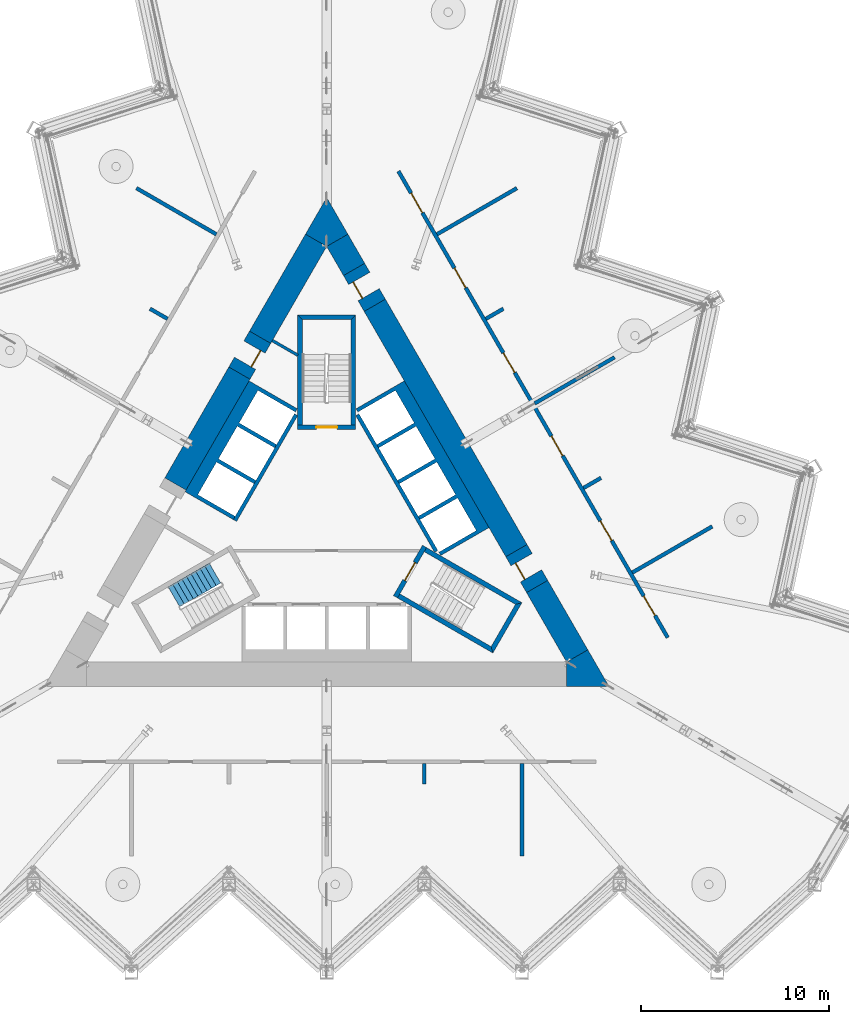
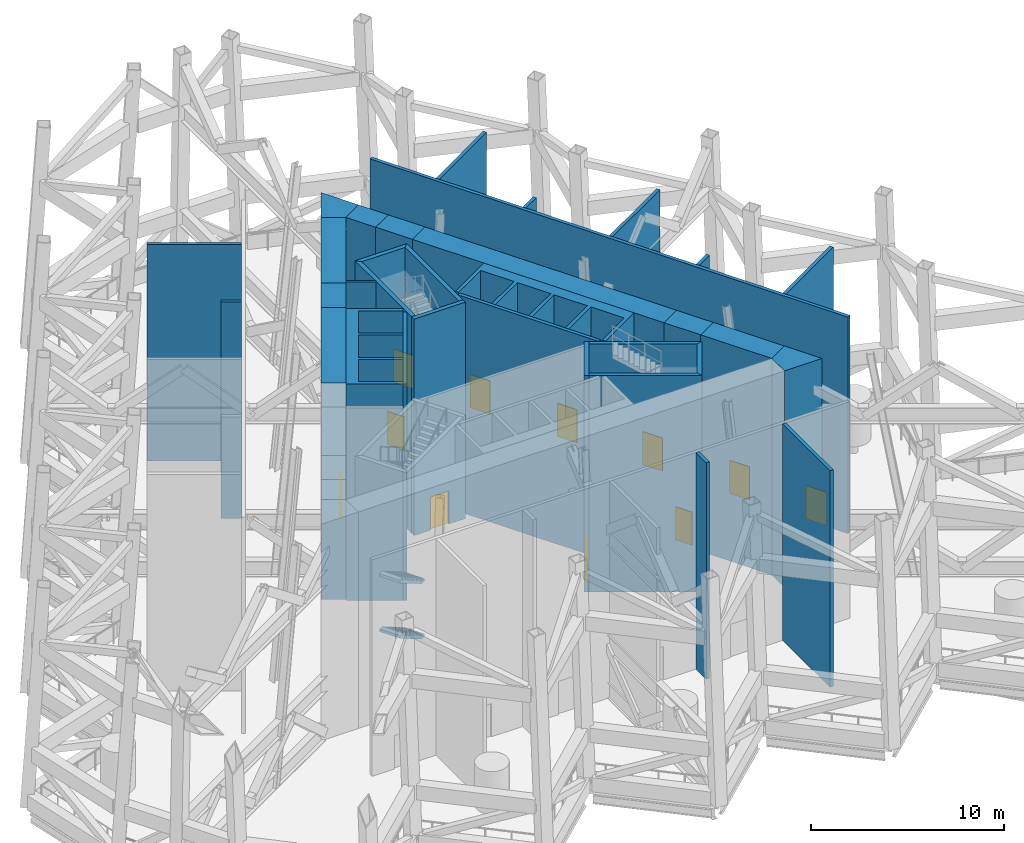
# One storey, part 9 of 19: 33 walls, 11 doors, 2 stair flights, 11 openings, 1 element without a shape of its own.
"""IFC4 building model written with IfcOpenShell, lengths in metres."""

import ifcopenshell
import ifcopenshell.guid

model = None  # the IFC model being written
_history = None  # IfcOwnerHistory: only IFC2X3 demands one
_inside = {}  # id of a spatial element -> (the spatial element, [elements in it])
_under = {}  # id of a project, library or spatial element -> (it, [spatial elements below it])
_declared = {}  # id of a project -> (the project, [libraries it declares])
_typed = {}  # id of a type object -> (the type object, [elements of that type])
_made_of = {}  # id of a material, layer set ... -> (it, [elements and type objects made of it])


def new_model(schema):
    """Start an empty IFC model of exactly this schema.

    Asked for "IFC4X3", IfcOpenShell would pick the latest addendum, in which some entities
    have other attributes; the version numbers below select the first issue.
    IFC2X3 requires an IfcOwnerHistory on every rooted entity: one is made here for all.
    """
    global model, _history
    if schema == "IFC4X3":
        model = ifcopenshell.file(schema_version=(4, 3, 0, 0))
    else:
        model = ifcopenshell.file(schema=schema)
    _inside.clear()
    _under.clear()
    _declared.clear()
    _typed.clear()
    _made_of.clear()
    _history = None
    if model.schema == "IFC2X3":
        org = make("IfcOrganization", Name="unknown")
        user = make(
            "IfcPersonAndOrganization",
            ThePerson=make("IfcPerson", FamilyName="unknown"),
            TheOrganization=org,
        )
        app = make(
            "IfcApplication",
            ApplicationDeveloper=org,
            Version="unknown",
            ApplicationFullName="unknown",
            ApplicationIdentifier="unknown",
        )
        _history = make(
            "IfcOwnerHistory",
            OwningUser=user,
            OwningApplication=app,
            ChangeAction="ADDED",
            CreationDate=0,
        )
    return model


def make(cls, **values):
    """One entity of the class cls with the attributes given. An attribute that is None is left unset."""
    return model.create_entity(
        cls, **{name: value for name, value in values.items() if value is not None}
    )


def rooted(cls, **values):
    """An entity with a GlobalId (a new one), such as an element, a storey or a relation."""
    return make(cls, GlobalId=ifcopenshell.guid.new(), OwnerHistory=_history, **values)


def si_unit(unit_type, name, prefix=None):
    """IfcSIUnit, for example si_unit("LENGTHUNIT", "METRE", prefix="MILLI")."""
    return make("IfcSIUnit", UnitType=unit_type, Prefix=prefix, Name=name)


def assignment(units):
    """IfcUnitAssignment: the units of a project."""
    return None if units is None else make("IfcUnitAssignment", Units=units)


def point(xyz):
    """IfcCartesianPoint."""
    return None if xyz is None else make("IfcCartesianPoint", Coordinates=xyz)


def direction(xyz):
    """IfcDirection."""
    return None if xyz is None else make("IfcDirection", DirectionRatios=xyz)


def frame(location, z_axis=None, x_axis=None):
    """IfcAxis2Placement3D, a coordinate frame: its origin and axes. An axis left out is left unset."""
    return make(
        "IfcAxis2Placement3D",
        Location=point(location),
        Axis=direction(z_axis),
        RefDirection=direction(x_axis),
    )


def frame_2d(location, x_axis=None):
    """IfcAxis2Placement2D, a coordinate frame in the plane: its origin and x axis."""
    return make(
        "IfcAxis2Placement2D", Location=point(location), RefDirection=direction(x_axis)
    )


def origin():
    """The frame at (0, 0, 0) with its axes left unset."""
    return frame((0.0, 0.0, 0.0))


def place(relative_to, where):
    """IfcLocalPlacement: puts the frame where relative to a parent placement (None: the world)."""
    return make(
        "IfcLocalPlacement", PlacementRelTo=relative_to, RelativePlacement=where
    )


def context(
    kind, dimensions, precision=None, world=None, true_north=None, identifier=None
):
    """IfcGeometricRepresentationContext, for example the 3D "Model" context."""
    return make(
        "IfcGeometricRepresentationContext",
        ContextIdentifier=identifier,
        ContextType=kind,
        CoordinateSpaceDimension=dimensions,
        Precision=precision,
        WorldCoordinateSystem=world,
        TrueNorth=true_north,
    )


def subcontext(parent, identifier, kind, view, scale=None):
    """IfcGeometricRepresentationSubContext, for example "Body" below "Model"."""
    return make(
        "IfcGeometricRepresentationSubContext",
        ContextIdentifier=identifier,
        ContextType=kind,
        ParentContext=parent,
        TargetScale=scale,
        TargetView=view,
    )


def project(units=None, contexts=None):
    """IfcProject with its units and contexts."""
    return rooted(
        "IfcProject",
        Name="project",
        RepresentationContexts=contexts,
        UnitsInContext=assignment(units),
    )


def spatial(cls, under=None, at=None, **own):
    """A site, building, storey or space (cls), placed at a placement, below another one or the project."""
    s = rooted(cls, ObjectPlacement=at, **own)
    if under is not None:
        _under.setdefault(under.id(), (under, []))[1].append(s)
    return s


def polyline(points):
    """IfcPolyline through the points."""
    return make("IfcPolyline", Points=[point(p) for p in points])


def profile(cls, at=None, kind="AREA", **sizes):
    """A parametric profile (cls). Its sizes go by their IFC names, for example OverallWidth=200.0."""
    return make(cls, ProfileType=kind, Position=at, **sizes)


def rectangle(**sizes):
    """IfcRectangleProfileDef."""
    return profile("IfcRectangleProfileDef", **sizes)


def outline(outer, holes=None, kind="AREA"):
    """IfcArbitraryClosedProfileDef: a profile drawn as a closed curve; with holes, ...WithVoids."""
    if holes is None:
        return make("IfcArbitraryClosedProfileDef", ProfileType=kind, OuterCurve=outer)
    return make(
        "IfcArbitraryProfileDefWithVoids",
        ProfileType=kind,
        OuterCurve=outer,
        InnerCurves=holes,
    )


def extrude(swept, where, along, depth):
    """IfcExtrudedAreaSolid: the profile swept, set in the frame where, extruded along a direction by depth."""
    return make(
        "IfcExtrudedAreaSolid",
        SweptArea=swept,
        Position=where,
        ExtrudedDirection=direction(along),
        Depth=depth,
    )


def shape(context_of_items, identifier, shape_type, items):
    """IfcShapeRepresentation: the items that make up one representation, for example the "Body"."""
    return make(
        "IfcShapeRepresentation",
        ContextOfItems=context_of_items,
        RepresentationIdentifier=identifier,
        RepresentationType=shape_type,
        Items=items,
    )


def material(Name=None, Category=None):
    """IfcMaterial."""
    return make("IfcMaterial", Name=Name, Category=Category)


def layer(
    of_material, thickness, ventilated=None, Name=None, Category=None, Priority=None
):
    """IfcMaterialLayer: one layer of a wall or slab, of a material (None: an air gap)."""
    return make(
        "IfcMaterialLayer",
        Material=of_material,
        LayerThickness=thickness,
        IsVentilated=ventilated,
        Name=Name,
        Category=Category,
        Priority=Priority,
    )


def layer_set(layers, Name=None):
    """IfcMaterialLayerSet."""
    return make("IfcMaterialLayerSet", MaterialLayers=layers, LayerSetName=Name)


def made_of(thing, what):
    """Note that an element or type object is made of a material, layer set ...; save() writes the relation."""
    if what is not None:
        _made_of.setdefault(what.id(), (what, []))[1].append(thing)
    return thing


def type_object(cls, material=None, **own):
    """A type object (cls), such as IfcWallType, which elements share."""
    return made_of(rooted(cls, **own), material)


def element(
    cls,
    number,
    at=None,
    inside=None,
    cuts=None,
    type_object=None,
    material=None,
    context=None,
    identifier="Body",
    shape_type=None,
    held_by="IfcProductDefinitionShape",
    body=None,
    shapes=None,
    **own,
):
    """One element of the class cls, such as IfcWall. Its Tag is "e" and its number.

    at: its placement. inside: the storey or other place that contains it. cuts: it is an
    opening in that element (IfcRelVoidsElement). A single representation is given by context,
    identifier, shape_type and body (its items); several are given by shapes. held_by: the class
    of the entity that holds the representations. save() writes the other relations.
    """
    e = rooted(cls, Tag="e%d" % number, ObjectPlacement=at, **own)
    if body is not None:
        shapes = [shape(context, identifier, shape_type, body)]
    if shapes is not None:
        e.Representation = make(held_by, Representations=shapes)
    if inside is not None:
        _inside.setdefault(inside.id(), (inside, []))[1].append(e)
    if cuts is not None:
        rooted(
            "IfcRelVoidsElement", RelatingBuildingElement=cuts, RelatedOpeningElement=e
        )
    if type_object is not None:
        _typed.setdefault(type_object.id(), (type_object, []))[1].append(e)
    return made_of(e, material)


def fill(opening, filler):
    """IfcRelFillsElement: the door or window that sits in an opening."""
    return rooted(
        "IfcRelFillsElement",
        RelatingOpeningElement=opening,
        RelatedBuildingElement=filler,
    )


def aggregate(whole, parts):
    """IfcRelAggregates: a whole, such as a stair, and the parts it consists of."""
    return rooted("IfcRelAggregates", RelatingObject=whole, RelatedObjects=parts)


def save(model, path):
    """Write the relations noted so far, then the file.

    IfcRelAggregates (storeys below a building ...), IfcRelContainedInSpatialStructure (elements
    in a storey), IfcRelDefinesByType, IfcRelAssociatesMaterial and IfcRelDeclares: one each for
    every whole, place, type object, material and project.
    """
    for whole, parts in _under.values():
        aggregate(whole, parts)
    for where, things in _inside.values():
        rooted(
            "IfcRelContainedInSpatialStructure",
            RelatedElements=things,
            RelatingStructure=where,
        )
    for kind, things in _typed.values():
        rooted("IfcRelDefinesByType", RelatedObjects=things, RelatingType=kind)
    for what, things in _made_of.values():
        rooted("IfcRelAssociatesMaterial", RelatedObjects=things, RelatingMaterial=what)
    for by, libraries in _declared.values():
        rooted("IfcRelDeclares", RelatingContext=by, RelatedDefinitions=libraries)
    model.write(path)


model = new_model("IFC4")

# Units and contexts
model_context = context("Model", 3, precision=1e-05, world=origin(), true_north=direction((0.0, 1.0)))
body_context = subcontext(model_context, "Body", "Model", "MODEL_VIEW")
ifc_project = project(units=[si_unit("LENGTHUNIT", "METRE"), si_unit("AREAUNIT", "SQUARE_METRE"), si_unit("VOLUMEUNIT", "CUBIC_METRE"), si_unit("PLANEANGLEUNIT", "RADIAN"), si_unit("MASSUNIT", "GRAM", prefix="KILO")], contexts=[model_context])

# Site, building, storey
site_placement = place(None, origin())
site = spatial("IfcSite", under=ifc_project, at=site_placement, CompositionType="ELEMENT")
building_placement = place(site_placement, origin())
building = spatial("IfcBuilding", under=site, at=building_placement, Name="Cormorant Prow Tower", CompositionType="ELEMENT")
storey_placement = place(building_placement, frame((0.0, 0.0, 287.800048828125)))
storey = spatial("IfcBuildingStorey", under=building, at=storey_placement, Name="L64", CompositionType="ELEMENT", Elevation=287.800048828125)

# Walls
ifc_material_1 = material(Name="Gypsum board partition")
ifc_layer_1 = layer(ifc_material_1, 0.14990234375)
ifc_layer_set_1 = layer_set([ifc_layer_1], Name="Gypsum board partition")
wall_type_1 = type_object("IfcWallType", Name="Core partition 150", PredefinedType="PARTITIONING", material=ifc_layer_set_1)
wall_1_placement = place(storey_placement, frame((-2.88623046875, 9.721435546875, 0.0), z_axis=(0.0, 0.0, 1.0), x_axis=(0.865990094875, -0.500061151839, 0.0)))
element("IfcWall", 1, at=wall_1_placement, inside=storey, type_object=wall_type_1, Name="Service room partition", PredefinedType="PARTITIONING", context=body_context, shape_type="SweptSolid", body=[
    extrude(rectangle(XDim=1.559814453125, YDim=0.14990234375, at=frame_2d((0.77978515625, 0.0))), origin(), (0.0, 0.0, 1.0), 13.699951171875),
])
ifc_material_2 = material(Name="Concrete 8000 psi", Category="concrete")
ifc_layer_2 = layer(ifc_material_2, 1.300048828125)
ifc_layer_set_2 = layer_set([ifc_layer_2], Name="Concrete 8000 psi")
wall_type_2 = type_object("IfcWallType", Name="Core shear wall 1300", PredefinedType="SHEAR", material=ifc_layer_set_2)
wall_2_placement = place(storey_placement, frame((10.081298828125, -1.440673828125, 0.0), z_axis=(0.0, 0.0, 1.0), x_axis=(-0.500012180433, 0.866018371294, 0.0)))
element("IfcWall", 2, at=wall_2_placement, inside=storey, type_object=wall_type_2, Name="Core wall", PredefinedType="SHEAR", context=body_context, shape_type="SweptSolid", body=[
    extrude(rectangle(XDim=15.05029296875, YDim=1.300048828125, at=frame_2d((7.525146484375, 0.0))), origin(), (0.0, 0.0, 1.0), 13.699951171875),
])
wall_3_placement = place(storey_placement, frame((13.311279296875, -7.035400390625, 0.0), z_axis=(0.0, 0.0, 1.0), x_axis=(-0.500003555838, 0.866023350811, 0.0)))
element("IfcWall", 3, at=wall_3_placement, inside=storey, type_object=wall_type_2, Name="Core wall", PredefinedType="SHEAR", context=body_context, shape_type="SweptSolid", body=[
    extrude(rectangle(XDim=4.26025390625, YDim=1.300048828125, at=frame_2d((2.130126953125, 0.0))), origin(), (0.0, 0.0, 1.0), 13.699951171875),
])
wall_4_placement = place(storey_placement, frame((1.4560546875, 13.49853515625, 0.0), z_axis=(0.0, 0.0, 1.0), x_axis=(-0.499990639951, 0.866030807744, 0.0)))
element("IfcWall", 4, at=wall_4_placement, inside=storey, type_object=wall_type_2, Name="Core wall", PredefinedType="SHEAR", context=body_context, shape_type="SweptSolid", body=[
    extrude(rectangle(XDim=1.7861328125, YDim=1.300048828125, at=frame_2d((0.89306640625, 0.0))), origin(), (0.0, 0.0, 1.0), 13.699951171875),
])
wall_5_placement = place(storey_placement, frame((-4.63623046875, 7.989990234375, 0.0), z_axis=(0.0, 0.0, 1.0), x_axis=(-0.500022813292, -0.866012232124, 0.0)))
element("IfcWall", 5, at=wall_5_placement, inside=storey, type_object=wall_type_2, Name="Core wall", PredefinedType="SHEAR", context=body_context, shape_type="SweptSolid", body=[
    extrude(rectangle(XDim=6.801513671875, YDim=1.300048828125, at=frame_2d((3.40087890625, 0.0))), origin(), (0.0, 0.0, 1.0), 13.699951171875),
])
wall_6_placement = place(storey_placement, frame((-0.56298828125, 15.04541015625, 0.0), z_axis=(0.0, 0.0, 1.0), x_axis=(-0.500011498138, -0.866018765229, 0.0)))
element("IfcWall", 6, at=wall_6_placement, inside=storey, type_object=wall_type_2, Name="Core wall", PredefinedType="SHEAR", context=body_context, shape_type="SweptSolid", body=[
    extrude(rectangle(XDim=5.946533203125, YDim=1.300048828125, at=frame_2d((2.97314453125, 0.0))), origin(), (0.0, 0.0, 1.0), 13.699951171875),
])
wall_7_placement = place(storey_placement, origin())
element("IfcWall", 7, at=wall_7_placement, inside=storey, type_object=wall_type_2, Name="Core wall corner", PredefinedType="SHEAR", context=body_context, shape_type="SweptSolid", body=[
    extrude(outline(polyline([(12.748291015625, -8.660400390625), (12.748291015625, -7.3603515625), (13.874267578125, -6.710205078125), (15.0, -8.660400390625), (12.748291015625, -8.660400390625)])), origin(), (0.0, 0.0, 1.0), 13.699951171875),
])
wall_8_placement = place(storey_placement, origin())
element("IfcWall", 8, at=wall_8_placement, inside=storey, type_object=wall_type_2, Name="Core wall corner", PredefinedType="SHEAR", context=body_context, shape_type="SweptSolid", body=[
    extrude(outline(polyline([(-1.125732421875, 15.37060546875), (0.0, 17.320556640625), (1.125732421875, 15.37060546875), (0.0, 14.720458984375), (-1.125732421875, 15.37060546875)])), origin(), (0.0, 0.0, 1.0), 13.699951171875),
])

# Wall, opening, door
wall_9_placement = place(storey_placement, frame((11.18115234375, -3.345947265625, 0.0), z_axis=(0.0, 0.0, 1.0), x_axis=(-0.499946605688, 0.86605622881, 0.0)))
wall_9 = element("IfcWall", 9, at=wall_9_placement, inside=storey, type_object=wall_type_2, Name="Core wall door panel", PredefinedType="SHEAR", context=body_context, shape_type="SweptSolid", body=[
    extrude(rectangle(XDim=2.199951171875, YDim=1.300048828125, at=frame_2d((1.10009765625, 0.0))), origin(), (0.0, 0.0, 1.0), 13.699951171875),
])
opening_1_placement = place(wall_9_placement, frame((0.64990234375, 0.0, 0.0)))
opening_1 = element("IfcOpeningElement", 10, at=opening_1_placement, cuts=wall_9, Name="Opening L64-C09", PredefinedType="OPENING", context=body_context, shape_type="SweptSolid", body=[
    extrude(rectangle(XDim=1.0, YDim=2.10009765625, at=frame_2d((0.5, 1.050048828125))), frame((0.0, 0.659912109375, 0.0), z_axis=(0.0, -1.0, 0.0), x_axis=(1.0, 0.0, 0.0)), (0.0, 0.0, 1.0), 1.320068359375),
])
ifc_material_3 = material(Name="Painted steel", Category="steel")
door_type_1 = type_object("IfcDoorType", Name="Service door 1000x2100", OperationType="NOTDEFINED", PredefinedType="DOOR", material=ifc_material_3)
door_1_placement = place(opening_1_placement, origin())
door_1 = element("IfcDoor", 11, at=door_1_placement, inside=storey, type_object=door_type_1, Name="Core door, Electrical switch room", OperationType="SINGLE_SWING_LEFT", OverallHeight=2.10009765625, OverallWidth=1.0, PredefinedType="DOOR", context=body_context, shape_type="SweptSolid", body=[
    extrude(rectangle(XDim=1.0, YDim=2.10009765625, at=frame_2d((0.5, 1.050048828125))), frame((0.0, 0.40478515625, 0.0), z_axis=(0.0, -1.0, 0.0), x_axis=(1.0, 0.0, 0.0)), (0.0, 0.0, 1.0), 0.050048828125),
])
fill(opening_1, door_1)

wall_10_placement = place(storey_placement, frame((-3.536376953125, 9.8955078125, 0.0), z_axis=(0.0, 0.0, 1.0), x_axis=(-0.499981787252, -0.866035918664, 0.0)))
wall_10 = element("IfcWall", 12, at=wall_10_placement, inside=storey, type_object=wall_type_2, Name="Core wall door panel", PredefinedType="SHEAR", context=body_context, shape_type="SweptSolid", body=[
    extrude(rectangle(XDim=2.2001953125, YDim=1.300048828125, at=frame_2d((1.10009765625, 0.0))), origin(), (0.0, 0.0, 1.0), 13.699951171875),
])
opening_2_placement = place(wall_10_placement, frame((0.60009765625, 0.0, 0.0)))
opening_2 = element("IfcOpeningElement", 13, at=opening_2_placement, cuts=wall_10, Name="Opening L64-C10", PredefinedType="OPENING", context=body_context, shape_type="SweptSolid", body=[
    extrude(rectangle(XDim=1.0, YDim=2.10009765625, at=frame_2d((0.5, 1.050048828125))), frame((0.0, 0.659912109375, 0.0), z_axis=(0.0, -1.0, 0.0), x_axis=(1.0, 0.0, 0.0)), (0.0, 0.0, 1.0), 1.320068359375),
])
door_2_placement = place(opening_2_placement, origin())
door_2 = element("IfcDoor", 14, at=door_2_placement, inside=storey, type_object=door_type_1, Name="Core door, Plant spares store", OperationType="SINGLE_SWING_LEFT", OverallHeight=2.10009765625, OverallWidth=1.0, PredefinedType="DOOR", context=body_context, shape_type="SweptSolid", body=[
    extrude(rectangle(XDim=1.0, YDim=2.10009765625, at=frame_2d((0.5, 1.050048828125))), frame((0.0, 0.40478515625, 0.0), z_axis=(0.0, -1.0, 0.0), x_axis=(1.0, 0.0, 0.0)), (0.0, 0.0, 1.0), 0.050048828125),
])
fill(opening_2, door_2)

wall_11_placement = place(storey_placement, frame((2.555908203125, 11.59326171875, 0.0), z_axis=(0.0, 0.0, 1.0), x_axis=(-0.499946605688, 0.86605622881, 0.0)))
wall_11 = element("IfcWall", 15, at=wall_11_placement, inside=storey, type_object=wall_type_2, Name="Core wall door panel", PredefinedType="SHEAR", context=body_context, shape_type="SweptSolid", body=[
    extrude(rectangle(XDim=2.199951171875, YDim=1.300048828125, at=frame_2d((1.10009765625, 0.0))), origin(), (0.0, 0.0, 1.0), 13.699951171875),
])
opening_3_placement = place(wall_11_placement, frame((0.64990234375, 0.0, 0.0)))
opening_3 = element("IfcOpeningElement", 16, at=opening_3_placement, cuts=wall_11, Name="Opening L64-C11", PredefinedType="OPENING", context=body_context, shape_type="SweptSolid", body=[
    extrude(rectangle(XDim=1.0, YDim=2.10009765625, at=frame_2d((0.5, 1.050048828125))), frame((0.0, 0.659912109375, 0.0), z_axis=(0.0, -1.0, 0.0), x_axis=(1.0, 0.0, 0.0)), (0.0, 0.0, 1.0), 1.320068359375),
])
door_3_placement = place(opening_3_placement, origin())
door_3 = element("IfcDoor", 17, at=door_3_placement, inside=storey, type_object=door_type_1, Name="Core door, Plant waste store", OperationType="SINGLE_SWING_LEFT", OverallHeight=2.10009765625, OverallWidth=1.0, PredefinedType="DOOR", context=body_context, shape_type="SweptSolid", body=[
    extrude(rectangle(XDim=1.0, YDim=2.10009765625, at=frame_2d((0.5, 1.050048828125))), frame((0.0, 0.40478515625, 0.0), z_axis=(0.0, -1.0, 0.0), x_axis=(1.0, 0.0, 0.0)), (0.0, 0.0, 1.0), 0.050048828125),
])
fill(opening_3, door_3)

# Wall, openings, doors
ifc_material_4 = material(Name="Gypsum board corridor wall")
ifc_layer_3 = layer(ifc_material_4, 0.199951171875)
ifc_layer_set_3 = layer_set([ifc_layer_3], Name="Gypsum board corridor wall")
wall_type_3 = type_object("IfcWallType", Name="Corridor wall 200", PredefinedType="PARTITIONING", material=ifc_layer_set_3)
wall_12_placement = place(storey_placement, frame((3.810546875, 18.720458984375, 0.0), z_axis=(0.0, 0.0, 1.0), x_axis=(0.49999867524, -0.866026168633, 0.0)))
wall_12 = element("IfcWall", 18, at=wall_12_placement, inside=storey, type_object=wall_type_3, Name="Corridor wall", PredefinedType="PARTITIONING", context=body_context, shape_type="SweptSolid", body=[
    extrude(rectangle(XDim=28.6142578125, YDim=0.199951171875, at=frame_2d((14.30712890625, 0.0))), origin(), (0.0, 0.0, 1.0), 13.699951171875),
])
opening_4_placement = place(wall_12_placement, frame((26.063720703125, 0.0, 0.0)))
opening_4 = element("IfcOpeningElement", 19, at=opening_4_placement, cuts=wall_12, Name="Opening L64-F08", PredefinedType="OPENING", context=body_context, shape_type="SweptSolid", body=[
    extrude(rectangle(XDim=1.199951171875, YDim=2.10009765625, at=frame_2d((0.60009765625, 1.050048828125))), frame((0.0, 0.10986328125, 0.0), z_axis=(0.0, -1.0, 0.0), x_axis=(1.0, 0.0, 0.0)), (0.0, 0.0, 1.0), 0.219970703125),
])
opening_5_placement = place(wall_12_placement, frame((21.46142578125, 0.0, 0.0)))
opening_5 = element("IfcOpeningElement", 20, at=opening_5_placement, cuts=wall_12, Name="Opening L64-F10", PredefinedType="OPENING", context=body_context, shape_type="SweptSolid", body=[
    extrude(rectangle(XDim=1.199951171875, YDim=2.10009765625, at=frame_2d((0.60009765625, 1.050048828125))), frame((0.0, 0.10986328125, 0.0), z_axis=(0.0, -1.0, 0.0), x_axis=(1.0, 0.0, 0.0)), (0.0, 0.0, 1.0), 0.219970703125),
])
opening_6_placement = place(wall_12_placement, frame((16.258544921875, 0.0, 0.0)))
opening_6 = element("IfcOpeningElement", 21, at=opening_6_placement, cuts=wall_12, Name="Opening L64-F12", PredefinedType="OPENING", context=body_context, shape_type="SweptSolid", body=[
    extrude(rectangle(XDim=1.199951171875, YDim=2.10009765625, at=frame_2d((0.60009765625, 1.050048828125))), frame((0.0, 0.10986328125, 0.0), z_axis=(0.0, -1.0, 0.0), x_axis=(1.0, 0.0, 0.0)), (0.0, 0.0, 1.0), 0.219970703125),
])
opening_7_placement = place(wall_12_placement, frame((11.15576171875, 0.0, 0.0)))
opening_7 = element("IfcOpeningElement", 22, at=opening_7_placement, cuts=wall_12, Name="Opening L64-F14", PredefinedType="OPENING", context=body_context, shape_type="SweptSolid", body=[
    extrude(rectangle(XDim=1.199951171875, YDim=2.10009765625, at=frame_2d((0.60009765625, 1.050048828125))), frame((0.0, 0.10986328125, 0.0), z_axis=(0.0, -1.0, 0.0), x_axis=(1.0, 0.0, 0.0)), (0.0, 0.0, 1.0), 0.219970703125),
])
opening_8_placement = place(wall_12_placement, frame((5.953125, 0.0, 0.0)))
opening_8 = element("IfcOpeningElement", 23, at=opening_8_placement, cuts=wall_12, Name="Opening L64-F16", PredefinedType="OPENING", context=body_context, shape_type="SweptSolid", body=[
    extrude(rectangle(XDim=1.199951171875, YDim=2.10009765625, at=frame_2d((0.60009765625, 1.050048828125))), frame((0.0, 0.10986328125, 0.0), z_axis=(0.0, -1.0, 0.0), x_axis=(1.0, 0.0, 0.0)), (0.0, 0.0, 1.0), 0.219970703125),
])
opening_9_placement = place(wall_12_placement, frame((1.3505859375, 0.0, 0.0)))
opening_9 = element("IfcOpeningElement", 24, at=opening_9_placement, cuts=wall_12, Name="Opening L64-F18", PredefinedType="OPENING", context=body_context, shape_type="SweptSolid", body=[
    extrude(rectangle(XDim=1.199951171875, YDim=2.10009765625, at=frame_2d((0.60009765625, 1.050048828125))), frame((0.0, 0.10986328125, 0.0), z_axis=(0.0, -1.0, 0.0), x_axis=(1.0, 0.0, 0.0)), (0.0, 0.0, 1.0), 0.219970703125),
])
ifc_material_5 = material(Name="Timber door leaf", Category="wood")
door_type_2 = type_object("IfcDoorType", Name="Plant room door 1200x2100", OperationType="NOTDEFINED", PredefinedType="DOOR", material=ifc_material_5)
door_4_placement = place(opening_4_placement, origin())
door_4 = element("IfcDoor", 25, at=door_4_placement, inside=storey, type_object=door_type_2, Name="Switchgear room door", OperationType="SINGLE_SWING_RIGHT", OverallHeight=2.10009765625, OverallWidth=1.199951171875, PredefinedType="DOOR", context=body_context, shape_type="SweptSolid", body=[
    extrude(rectangle(XDim=1.199951171875, YDim=2.10009765625, at=frame_2d((0.60009765625, 1.050048828125))), frame((0.0, 0.02490234375, 0.0), z_axis=(0.0, -1.0, 0.0), x_axis=(1.0, 0.0, 0.0)), (0.0, 0.0, 1.0), 0.050048828125),
])
fill(opening_4, door_4)
door_5_placement = place(opening_5_placement, origin())
door_5 = element("IfcDoor", 26, at=door_5_placement, inside=storey, type_object=door_type_2, Name="Generator room door", OperationType="SINGLE_SWING_LEFT", OverallHeight=2.10009765625, OverallWidth=1.199951171875, PredefinedType="DOOR", context=body_context, shape_type="SweptSolid", body=[
    extrude(rectangle(XDim=1.199951171875, YDim=2.10009765625, at=frame_2d((0.60009765625, 1.050048828125))), frame((0.0, 0.02490234375, 0.0), z_axis=(0.0, -1.0, 0.0), x_axis=(1.0, 0.0, 0.0)), (0.0, 0.0, 1.0), 0.050048828125),
])
fill(opening_5, door_5)
door_6_placement = place(opening_6_placement, origin())
door_6 = element("IfcDoor", 27, at=door_6_placement, inside=storey, type_object=door_type_2, Name="Battery room door", OperationType="SINGLE_SWING_LEFT", OverallHeight=2.10009765625, OverallWidth=1.199951171875, PredefinedType="DOOR", context=body_context, shape_type="SweptSolid", body=[
    extrude(rectangle(XDim=1.199951171875, YDim=2.10009765625, at=frame_2d((0.60009765625, 1.050048828125))), frame((0.0, 0.02490234375, 0.0), z_axis=(0.0, -1.0, 0.0), x_axis=(1.0, 0.0, 0.0)), (0.0, 0.0, 1.0), 0.050048828125),
])
fill(opening_6, door_6)
door_7_placement = place(opening_7_placement, origin())
door_7 = element("IfcDoor", 28, at=door_7_placement, inside=storey, type_object=door_type_2, Name="Switchgear room door", OperationType="SINGLE_SWING_RIGHT", OverallHeight=2.10009765625, OverallWidth=1.199951171875, PredefinedType="DOOR", context=body_context, shape_type="SweptSolid", body=[
    extrude(rectangle(XDim=1.199951171875, YDim=2.10009765625, at=frame_2d((0.60009765625, 1.050048828125))), frame((0.0, 0.02490234375, 0.0), z_axis=(0.0, -1.0, 0.0), x_axis=(1.0, 0.0, 0.0)), (0.0, 0.0, 1.0), 0.050048828125),
])
fill(opening_7, door_7)
door_8_placement = place(opening_8_placement, origin())
door_8 = element("IfcDoor", 29, at=door_8_placement, inside=storey, type_object=door_type_2, Name="Generator room door", OperationType="SINGLE_SWING_RIGHT", OverallHeight=2.10009765625, OverallWidth=1.199951171875, PredefinedType="DOOR", context=body_context, shape_type="SweptSolid", body=[
    extrude(rectangle(XDim=1.199951171875, YDim=2.10009765625, at=frame_2d((0.60009765625, 1.050048828125))), frame((0.0, 0.02490234375, 0.0), z_axis=(0.0, -1.0, 0.0), x_axis=(1.0, 0.0, 0.0)), (0.0, 0.0, 1.0), 0.050048828125),
])
fill(opening_8, door_8)
door_9_placement = place(opening_9_placement, origin())
door_9 = element("IfcDoor", 30, at=door_9_placement, inside=storey, type_object=door_type_2, Name="Battery room door", OperationType="SINGLE_SWING_LEFT", OverallHeight=2.10009765625, OverallWidth=1.199951171875, PredefinedType="DOOR", context=body_context, shape_type="SweptSolid", body=[
    extrude(rectangle(XDim=1.199951171875, YDim=2.10009765625, at=frame_2d((0.60009765625, 1.050048828125))), frame((0.0, 0.02490234375, 0.0), z_axis=(0.0, -1.0, 0.0), x_axis=(1.0, 0.0, 0.0)), (0.0, 0.0, 1.0), 0.050048828125),
])
fill(opening_9, door_9)

# Walls
ifc_material_6 = material(Name="Gypsum board demising wall")
ifc_layer_4 = layer(ifc_material_6, 0.199951171875)
ifc_layer_set_4 = layer_set([ifc_layer_4], Name="Gypsum board demising wall")
wall_type_4 = type_object("IfcWallType", Name="Demising wall 200", PredefinedType="PARTITIONING", material=ifc_layer_set_4)
for number, where, z_axis, x_axis, name in (
    (31, (5.862548828125, 15.366455078125, 0.0), (0.0, 0.0, 1.0), (0.866023786258, 0.500002801628, 0.0), "Demising wall"),
    (32, (-10.10595703125, 17.81640625, 0.0), (0.0, 0.0, 1.0), (0.866023786258, -0.500002801628, 0.0), "Demising wall"),
    (33, (11.05078125, 6.380126953125, 0.0), (0.0, 0.0, 1.0), (0.866023786258, 0.500002801628, 0.0), "Demising wall"),
    (34, (16.239013671875, -2.606201171875, 0.0), (0.0, 0.0, 1.0), (0.866023786258, 0.500002801628, 0.0), "Demising wall"),
):
    element("IfcWall", number, at=place(storey_placement, frame(where, z_axis=z_axis, x_axis=x_axis)), inside=storey, type_object=wall_type_4, Name=name, PredefinedType="PARTITIONING", context=body_context, shape_type="SweptSolid", body=[
        extrude(rectangle(XDim=4.89990234375, YDim=0.199951171875, at=frame_2d((2.449951171875, 0.0))), origin(), (0.0, 0.0, 1.0), 13.699951171875),
    ])
wall_13_placement = place(storey_placement, frame((10.37646484375, -17.660400390625, 0.0), z_axis=(0.0, 0.0, 1.0), x_axis=(0.0, 1.0, 0.0)))
element("IfcWall", 35, at=wall_13_placement, inside=storey, type_object=wall_type_4, Name="Demising wall", PredefinedType="PARTITIONING", context=body_context, shape_type="SweptSolid", body=[
    extrude(rectangle(XDim=4.900146484375, YDim=0.199951171875, at=frame_2d((2.4501953125, 0.0))), origin(), (0.0, 0.0, 1.0), 13.699951171875),
])
for number, where, z_axis, x_axis, name in (
    (36, (-9.385498046875, 11.40966796875, 0.0), (0.0, 0.0, 1.0), (0.866007444426, -0.500031105231, 0.0), "Demising wall"),
    (37, (8.45654296875, 10.873291015625, 0.0), (0.0, 0.0, 1.0), (0.866007444426, 0.500031105231, 0.0), "Demising wall"),
    (38, (13.644775390625, 1.886962890625, 0.0), (0.0, 0.0, 1.0), (0.866007444426, 0.500031105231, 0.0), "Demising wall"),
    (39, (5.188232421875, -13.8330078125, 0.0), (0.0, 0.0, 1.0), (0.0, 1.0, 0.0), "Demising wall"),
):
    element("IfcWall", number, at=place(storey_placement, frame(where, z_axis=z_axis, x_axis=x_axis)), inside=storey, type_object=wall_type_4, Name=name, PredefinedType="PARTITIONING", context=body_context, shape_type="SweptSolid", body=[
        extrude(rectangle(XDim=1.07275390625, YDim=0.199951171875, at=frame_2d((0.536376953125, 0.0))), origin(), (0.0, 0.0, 1.0), 13.699951171875),
    ])
ifc_material_7 = material(Name="Concrete 5000 psi", Category="concrete")
ifc_layer_5 = layer(ifc_material_7, 0.199951171875)
ifc_layer_set_5 = layer_set([ifc_layer_5], Name="Concrete 5000 psi")
wall_type_5 = type_object("IfcWallType", Name="Lift lobby wall 200", PredefinedType="SOLIDWALL", material=ifc_layer_set_5)
wall_14_placement = place(storey_placement, frame((5.817138671875, -1.4755859375, 0.0), z_axis=(0.0, 0.0, 1.0), x_axis=(-0.500002616675, 0.866023893041, 0.0)))
element("IfcWall", 40, at=wall_14_placement, inside=storey, type_object=wall_type_5, Name="Lift lobby wall, ENE block", PredefinedType="SOLIDWALL", context=body_context, shape_type="SweptSolid", body=[
    extrude(rectangle(XDim=8.373046875, YDim=0.199951171875, at=frame_2d((4.1865234375, 0.0))), origin(), (0.0, 0.0, 1.0), 13.699951171875),
])
wall_15_placement = place(storey_placement, frame((-1.630615234375, 5.775634765625, 0.0), z_axis=(0.0, 0.0, 1.0), x_axis=(-0.499992876559, -0.866029516466, 0.0)))
element("IfcWall", 41, at=wall_15_placement, inside=storey, type_object=wall_type_5, Name="Lift lobby wall, WNW block", PredefinedType="SOLIDWALL", context=body_context, shape_type="SweptSolid", body=[
    extrude(rectangle(XDim=6.486328125, YDim=0.199951171875, at=frame_2d((3.2431640625, 0.0))), origin(), (0.0, 0.0, 1.0), 13.699951171875),
])
ifc_material_8 = material(Name="Concrete 8000 psi", Category="concrete")
ifc_layer_6 = layer(ifc_material_8, 0.199951171875)
ifc_layer_set_6 = layer_set([ifc_layer_6], Name="Concrete 8000 psi")
wall_type_6 = type_object("IfcWallType", Name="Lift shaft wall 200", PredefinedType="SHEAR", material=ifc_layer_set_6)
wall_16_placement = place(storey_placement, origin())
element("IfcWall", 42, at=wall_16_placement, inside=storey, type_object=wall_type_6, Name="Lift shaft walls, ENE block", PredefinedType="SHEAR", context=body_context, shape_type="SweptSolid", body=[
    extrude(outline(polyline([(4.124267578125, 7.5771484375), (8.624267578125, -0.217041015625), (8.230712890625, -0.444091796875), (6.060546875, -1.697021484375), (5.96044921875, -1.52392578125), (7.952392578125, -0.373779296875), (6.952392578125, 1.358154296875), (4.96044921875, 0.2080078125), (4.860595703125, 0.38134765625), (6.852294921875, 1.53125), (5.852294921875, 3.263427734375), (3.860595703125, 2.11328125), (3.760498046875, 2.28662109375), (5.75244140625, 3.4365234375), (4.75244140625, 5.168701171875), (2.760498046875, 4.018798828125), (2.660400390625, 4.19189453125), (4.65234375, 5.341796875), (3.65234375, 7.073974609375), (1.660400390625, 5.923828125), (1.560546875, 6.09716796875), (3.730712890625, 7.35009765625), (4.124267578125, 7.5771484375)])), origin(), (0.0, 0.0, 1.0), 13.699951171875),
])
wall_17_placement = place(storey_placement, origin())
element("IfcWall", 43, at=wall_17_placement, inside=storey, type_object=wall_type_6, Name="Lift shaft walls, WNW block", PredefinedType="SHEAR", context=body_context, shape_type="SweptSolid", body=[
    extrude(outline(polyline([(-7.524169921875, 1.688232421875), (-4.124267578125, 7.5771484375), (-3.730712890625, 7.35009765625), (-1.560546875, 6.09716796875), (-1.660400390625, 5.923828125), (-3.65234375, 7.073974609375), (-4.65234375, 5.341796875), (-2.660400390625, 4.19189453125), (-2.760498046875, 4.018798828125), (-4.75244140625, 5.168701171875), (-5.75244140625, 3.4365234375), (-3.760498046875, 2.28662109375), (-3.860595703125, 2.11328125), (-5.852294921875, 3.263427734375), (-6.852294921875, 1.53125), (-4.860595703125, 0.38134765625), (-4.96044921875, 0.2080078125), (-7.130859375, 1.461181640625), (-7.524169921875, 1.688232421875)])), origin(), (0.0, 0.0, 1.0), 13.699951171875),
])
ifc_material_9 = material(Name="Concrete 8000 psi", Category="concrete")
ifc_layer_7 = layer(ifc_material_9, 0.25)
ifc_layer_set_7 = layer_set([ifc_layer_7], Name="Concrete 8000 psi")
wall_type_7 = type_object("IfcWallType", Name="Stair wall 250", PredefinedType="SHEAR", material=ifc_layer_set_7)
wall_18_placement = place(storey_placement, origin())
element("IfcWall", 44, at=wall_18_placement, inside=storey, type_object=wall_type_7, Name="Stair ST2 enclosure wall (flank)", PredefinedType="SHEAR", context=body_context, shape_type="SweptSolid", body=[
    extrude(outline(polyline([(3.76318359375, -3.95556640625), (8.82958984375, -6.880615234375), (8.738037109375, -6.5390625), (3.88818359375, -3.739013671875), (3.76318359375, -3.95556640625)])), origin(), (0.0, 0.0, 1.0), 13.699951171875),
])
wall_19_placement = place(storey_placement, origin())
element("IfcWall", 45, at=wall_19_placement, inside=storey, type_object=wall_type_7, Name="Stair ST2 enclosure wall (end)", PredefinedType="SHEAR", context=body_context, shape_type="SweptSolid", body=[
    extrude(outline(polyline([(8.82958984375, -6.880615234375), (10.37353515625, -4.206298828125), (10.031982421875, -4.2978515625), (8.738037109375, -6.5390625), (8.82958984375, -6.880615234375)])), origin(), (0.0, 0.0, 1.0), 13.699951171875),
])
wall_20_placement = place(storey_placement, origin())
element("IfcWall", 46, at=wall_20_placement, inside=storey, type_object=wall_type_7, Name="Stair ST2 enclosure wall (flank)", PredefinedType="SHEAR", context=body_context, shape_type="SweptSolid", body=[
    extrude(outline(polyline([(10.031982421875, -4.2978515625), (10.37353515625, -4.206298828125), (5.30712890625, -1.28125), (5.18212890625, -1.497802734375), (10.031982421875, -4.2978515625)])), origin(), (0.0, 0.0, 1.0), 13.699951171875),
])

# Wall, opening, door
wall_21_placement = place(storey_placement, frame((3.655029296875, -3.89306640625, 0.0), z_axis=(0.0, 0.0, 1.0), x_axis=(0.499982516597, 0.866035497597, 0.0)))
wall_21 = element("IfcWall", 47, at=wall_21_placement, inside=storey, type_object=wall_type_7, Name="Stair ST2 door wall", PredefinedType="SHEAR", context=body_context, shape_type="SweptSolid", body=[
    extrude(rectangle(XDim=3.087890625, YDim=0.25, at=frame_2d((1.5439453125, 0.0))), origin(), (0.0, 0.0, 1.0), 13.699951171875),
])
opening_10_placement = place(wall_21_placement, frame((0.993896484375, 0.0, 0.0)))
opening_10 = element("IfcOpeningElement", 48, at=opening_10_placement, cuts=wall_21, Name="Opening L64-C06", PredefinedType="OPENING", context=body_context, shape_type="SweptSolid", body=[
    extrude(rectangle(XDim=1.10009765625, YDim=2.10009765625, at=frame_2d((0.550048828125, 1.050048828125))), frame((0.0, 0.135009765625, 0.0), z_axis=(0.0, -1.0, 0.0), x_axis=(1.0, 0.0, 0.0)), (0.0, 0.0, 1.0), 0.27001953125),
])
ifc_material_10 = material(Name="Painted steel", Category="steel")
door_type_3 = type_object("IfcDoorType", Name="Stair door 1100x2100", OperationType="NOTDEFINED", PredefinedType="DOOR", material=ifc_material_10)
door_10_placement = place(opening_10_placement, origin())
door_10 = element("IfcDoor", 49, at=door_10_placement, inside=storey, type_object=door_type_3, Name="Stair ST2 door", OperationType="SINGLE_SWING_RIGHT", OverallHeight=2.10009765625, OverallWidth=1.10009765625, PredefinedType="DOOR", context=body_context, shape_type="SweptSolid", body=[
    extrude(rectangle(XDim=1.10009765625, YDim=2.10009765625, at=frame_2d((0.550048828125, 1.050048828125))), frame((0.0, 0.02490234375, 0.0), z_axis=(0.0, -1.0, 0.0), x_axis=(1.0, 0.0, 0.0)), (0.0, 0.0, 1.0), 0.050048828125),
])
fill(opening_10, door_10)

# Walls
wall_22_placement = place(storey_placement, origin())
element("IfcWall", 50, at=wall_22_placement, inside=storey, type_object=wall_type_7, Name="Stair ST3 enclosure wall (flank)", PredefinedType="SHEAR", context=body_context, shape_type="SweptSolid", body=[
    extrude(outline(polyline([(1.5439453125, 5.23681640625), (1.5439453125, 11.0869140625), (1.2939453125, 10.8369140625), (1.2939453125, 5.23681640625), (1.5439453125, 5.23681640625)])), origin(), (0.0, 0.0, 1.0), 13.699951171875),
])
wall_23_placement = place(storey_placement, origin())
element("IfcWall", 51, at=wall_23_placement, inside=storey, type_object=wall_type_7, Name="Stair ST3 enclosure wall (end)", PredefinedType="SHEAR", context=body_context, shape_type="SweptSolid", body=[
    extrude(outline(polyline([(1.5439453125, 11.0869140625), (-1.5439453125, 11.0869140625), (-1.2939453125, 10.8369140625), (1.2939453125, 10.8369140625), (1.5439453125, 11.0869140625)])), origin(), (0.0, 0.0, 1.0), 13.699951171875),
])
wall_24_placement = place(storey_placement, origin())
element("IfcWall", 52, at=wall_24_placement, inside=storey, type_object=wall_type_7, Name="Stair ST3 enclosure wall (flank)", PredefinedType="SHEAR", context=body_context, shape_type="SweptSolid", body=[
    extrude(outline(polyline([(-1.2939453125, 10.8369140625), (-1.5439453125, 11.0869140625), (-1.5439453125, 5.23681640625), (-1.2939453125, 5.23681640625), (-1.2939453125, 10.8369140625)])), origin(), (0.0, 0.0, 1.0), 13.699951171875),
])

# Wall, opening, door
wall_25_placement = place(storey_placement, frame((1.5439453125, 5.11181640625, 0.0), z_axis=(0.0, 0.0, 1.0), x_axis=(-1.0, 0.0, 0.0)))
wall_25 = element("IfcWall", 53, at=wall_25_placement, inside=storey, type_object=wall_type_7, Name="Stair ST3 door wall", PredefinedType="SHEAR", context=body_context, shape_type="SweptSolid", body=[
    extrude(rectangle(XDim=3.087890625, YDim=0.25, at=frame_2d((1.5439453125, 0.0))), origin(), (0.0, 0.0, 1.0), 13.699951171875),
])
opening_11_placement = place(wall_25_placement, frame((0.993896484375, 0.0, 0.0)))
opening_11 = element("IfcOpeningElement", 54, at=opening_11_placement, cuts=wall_25, Name="Opening L64-C07", PredefinedType="OPENING", context=body_context, shape_type="SweptSolid", body=[
    extrude(rectangle(XDim=1.10009765625, YDim=2.10009765625, at=frame_2d((0.550048828125, 1.050048828125))), frame((0.0, 0.135009765625, 0.0), z_axis=(0.0, -1.0, 0.0), x_axis=(1.0, 0.0, 0.0)), (0.0, 0.0, 1.0), 0.27001953125),
])
door_11_placement = place(opening_11_placement, origin())
door_11 = element("IfcDoor", 55, at=door_11_placement, inside=storey, type_object=door_type_3, Name="Stair ST3 door", OperationType="SINGLE_SWING_LEFT", OverallHeight=2.10009765625, OverallWidth=1.10009765625, PredefinedType="DOOR", context=body_context, shape_type="SweptSolid", body=[
    extrude(rectangle(XDim=1.10009765625, YDim=2.10009765625, at=frame_2d((0.550048828125, 1.050048828125))), frame((0.0, 0.02490234375, 0.0), z_axis=(0.0, -1.0, 0.0), x_axis=(1.0, 0.0, 0.0)), (0.0, 0.0, 1.0), 0.050048828125),
])
fill(opening_11, door_11)

# Stair, stair flights
ifc_material_11 = material(Name="Exit stair 80 risers")
stair_type = type_object("IfcStairType", Name="Exit stair 80 risers", PredefinedType="HALF_TURN_STAIR", material=ifc_material_11)
stair_placement = place(storey_placement, origin())
stair = element("IfcStair", 56, at=stair_placement, inside=storey, type_object=stair_type, Name="L64 Exit stair ST1", PredefinedType="HALF_TURN_STAIR")
ifc_material_12 = material(Name="Concrete 5000 psi", Category="concrete")
stair_flight_type = type_object("IfcStairFlightType", Name="Stair flight 1219", PredefinedType="STRAIGHT", material=ifc_material_12)
stair_flight_1_placement = place(storey_placement, frame((-5.93310546875, -2.635009765625, 0.0), z_axis=(0.0, 0.0, 1.0), x_axis=(-0.866025403784, -0.5, 0.0)))
stair_flight_1 = element("IfcStairFlight", 57, at=stair_flight_1_placement, type_object=stair_flight_type, Name="ST1 flight 1", NumberOfRisers=10, NumberOfTreads=9, PredefinedType="STRAIGHT", RiserHeight=0.175, TreadLength=0.28, context=body_context, shape_type="SweptSolid", body=[
    extrude(outline(polyline([(0.0, 0.0), (0.0, 0.175048828125), (0.280029296875, 0.175048828125), (0.280029296875, 0.35009765625), (0.56005859375, 0.35009765625), (0.56005859375, 0.52490234375), (0.840087890625, 0.52490234375), (0.840087890625, 0.699951171875), (1.1201171875, 0.699951171875), (1.1201171875, 0.875), (1.39990234375, 0.875), (1.39990234375, 1.050048828125), (1.679931640625, 1.050048828125), (1.679931640625, 1.22509765625), (1.9599609375, 1.22509765625), (1.9599609375, 1.39990234375), (2.239990234375, 1.39990234375), (2.239990234375, 1.574951171875), (2.52001953125, 1.574951171875), (2.52001953125, 1.75), (2.52001953125, 1.398193359375), (0.28271484375, 0.0), (0.0, 0.0)])), frame((0.0, 0.609375, 0.0), z_axis=(0.0, -1.0, 0.0), x_axis=(1.0, 0.0, 0.0)), (0.0, 0.0, 1.0), 1.218994140625),
])
stair_flight_2_placement = place(storey_placement, frame((-5.93310546875, -2.635009765625, 3.5), z_axis=(0.0, 0.0, 1.0), x_axis=(-0.866025403784, -0.5, 0.0)))
stair_flight_2 = element("IfcStairFlight", 58, at=stair_flight_2_placement, type_object=stair_flight_type, Name="ST1 flight 3", NumberOfRisers=10, NumberOfTreads=9, PredefinedType="STRAIGHT", RiserHeight=0.175, TreadLength=0.28, context=body_context, shape_type="SweptSolid", body=[
    extrude(outline(polyline([(0.0, 0.0), (0.0, 0.175048828125), (0.280029296875, 0.175048828125), (0.280029296875, 0.35009765625), (0.56005859375, 0.35009765625), (0.56005859375, 0.52490234375), (0.840087890625, 0.52490234375), (0.840087890625, 0.699951171875), (1.1201171875, 0.699951171875), (1.1201171875, 0.875), (1.39990234375, 0.875), (1.39990234375, 1.050048828125), (1.679931640625, 1.050048828125), (1.679931640625, 1.22509765625), (1.9599609375, 1.22509765625), (1.9599609375, 1.39990234375), (2.239990234375, 1.39990234375), (2.239990234375, 1.574951171875), (2.52001953125, 1.574951171875), (2.52001953125, 1.75), (2.52001953125, 1.398193359375), (0.28271484375, 0.0), (0.0, 0.0)])), frame((0.0, 0.609375, 0.0), z_axis=(0.0, -1.0, 0.0), x_axis=(1.0, 0.0, 0.0)), (0.0, 0.0, 1.0), 1.218994140625),
])
aggregate(stair, [stair_flight_1, stair_flight_2])

save(model, "model.ifc")
